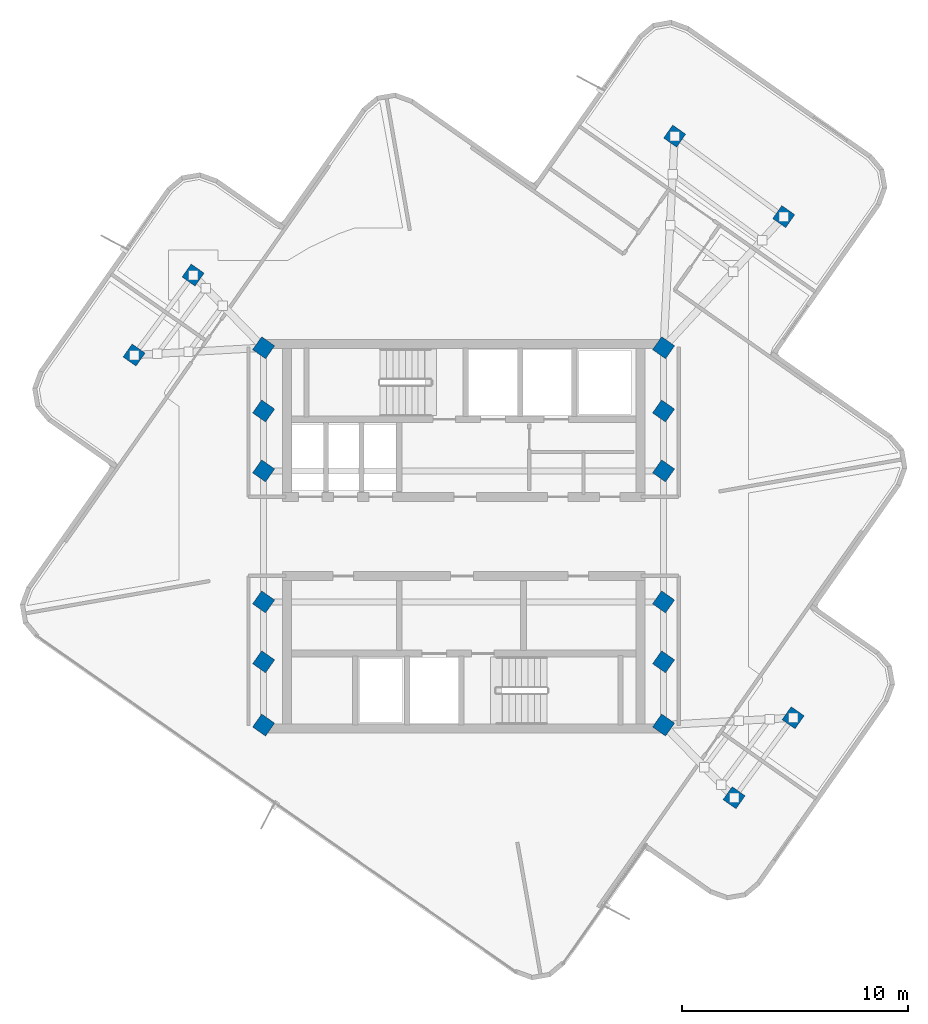
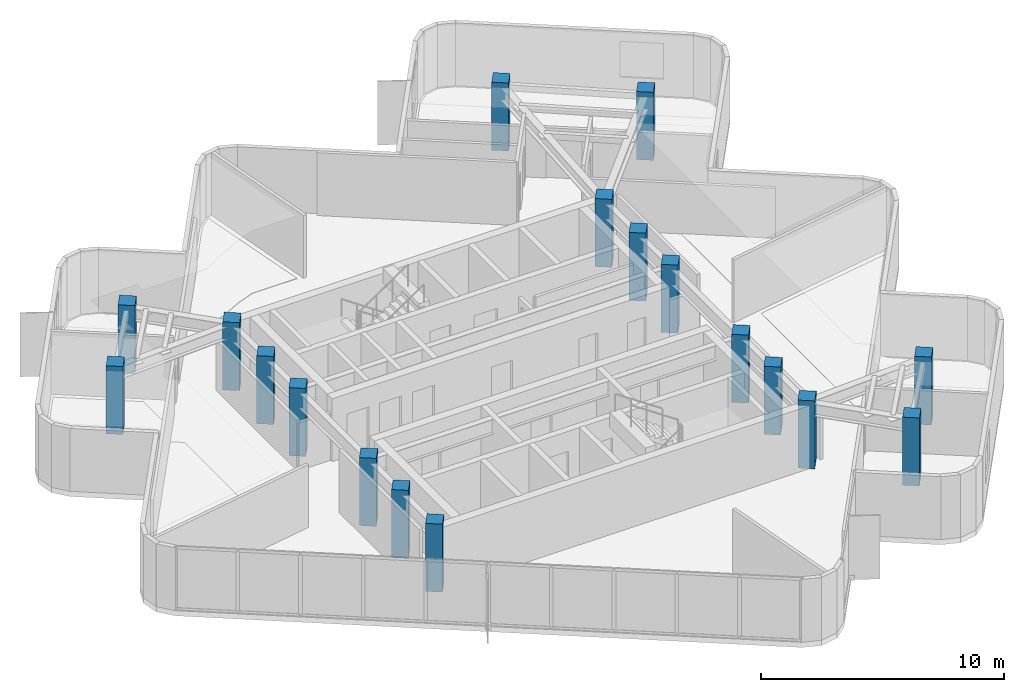
# One storey, part 1 of 8: 18 columns.
"""IFC4 building model written with IfcOpenShell, lengths in metres."""

from ifc_helpers import new_model, si_unit, direction, frame, origin, origin_2d, place, context, subcontext, project, spatial, rectangle, extrude, material, material_profile, profile_set, type_object, element, save


model = new_model("IFC4")

# Units and contexts
model_context = context("Model", 3, precision=1e-05, world=origin(), true_north=direction((0.0, 1.0)))
body_context = subcontext(model_context, "Body", "Model", "MODEL_VIEW")
ifc_project = project(units=[si_unit("LENGTHUNIT", "METRE"), si_unit("AREAUNIT", "SQUARE_METRE"), si_unit("VOLUMEUNIT", "CUBIC_METRE"), si_unit("PLANEANGLEUNIT", "RADIAN"), si_unit("MASSUNIT", "GRAM", prefix="KILO")], contexts=[model_context])

# Site, building, storey
site_placement = place(None, origin())
site = spatial("IfcSite", under=ifc_project, at=site_placement, CompositionType="ELEMENT")
building_placement = place(site_placement, origin())
building = spatial("IfcBuilding", under=site, at=building_placement, Name="Solmarez Civic Tower", CompositionType="ELEMENT")
storey_placement = place(building_placement, frame((0.0, 0.0, 264.60009765625)))
storey = spatial("IfcBuildingStorey", under=building, at=storey_placement, Name="L71", CompositionType="ELEMENT", Elevation=264.60009765625)

# Columns
ifc_material = material(Name="Concrete C50/60", Category="concrete")
ifc_material_profile = material_profile(ifc_material, rectangle(XDim=0.699951171875, YDim=0.699951171875, at=origin_2d()), Name="RC700X700")
ifc_profile_set = profile_set([ifc_material_profile], Name="Concrete C50/60")
column_type = type_object("IfcColumnType", Name="COL-RC700", PredefinedType="COLUMN", material=ifc_profile_set)
for number, where, z_axis, x_axis, name in (
    (1, (-8.85009765625, -5.550048828125, 0.0), (0.0, 0.0, 1.0), (0.574148172537, 0.818751412806, 0.0), "L71 Structural Column HC1"),
    (2, (-8.85009765625, -2.89990234375, 0.0), (0.0, 0.0, 1.0), (0.574148172537, 0.818751412806, 0.0), "L71 Structural Column HC2"),
    (3, (-8.85009765625, 2.89990234375, 0.0), (0.0, 0.0, 1.0), (0.574148172537, 0.818751412806, 0.0), "L71 Structural Column HC3"),
    (4, (-8.85009765625, 5.550048828125, 0.0), (0.0, 0.0, 1.0), (0.574148172537, 0.818751412806, 0.0), "L71 Structural Column HC4"),
    (5, (8.85009765625, -5.550048828125, 0.0), (0.0, 0.0, 1.0), (0.574148172537, 0.818751412806, 0.0), "L71 Structural Column HC5"),
    (6, (8.85009765625, -2.89990234375, 0.0), (0.0, 0.0, 1.0), (0.574148172537, 0.818751412806, 0.0), "L71 Structural Column HC6"),
    (7, (8.85009765625, 2.89990234375, 0.0), (0.0, 0.0, 1.0), (0.574148172537, 0.818751412806, 0.0), "L71 Structural Column HC7"),
    (8, (8.85009765625, 5.550048828125, 0.0), (0.0, 0.0, 1.0), (0.574148172537, 0.818751412806, 0.0), "L71 Structural Column HC8"),
    (9, (-8.85009765625, 8.35009765625, 0.0), (0.0, 0.0, 1.0), (0.574148172537, 0.818751412806, 0.0), "L71 Structural Column HC9"),
    (10, (8.85009765625, -8.35009765625, 0.0), (0.0, 0.0, 1.0), (0.574148172537, 0.818751412806, 0.0), "L71 Structural Column HC10"),
    (11, (8.85009765625, 8.35009765625, 0.0), (0.0, 0.0, 1.0), (0.574148172537, 0.818751412806, 0.0), "L71 Structural Column HC11"),
    (12, (-8.85009765625, -8.35009765625, 0.0), (0.0, 0.0, 1.0), (0.574148172537, 0.818751412806, 0.0), "L71 Structural Column HC12"),
    (13, (14.1689453125, 14.152099609375, 0.0), (0.0, 0.0, 1.0), (0.574148172537, 0.818751412806, 0.0), "L71 Structural Column EA11"),
    (14, (9.341064453125, 17.714111328125, 0.0), (0.0, 0.0, 1.0), (0.574148172537, 0.818751412806, 0.0), "L71 Structural Column EA12"),
    (15, (-11.970947265625, 11.56591796875, 0.0), (0.0, 0.0, 1.0), (0.574148172537, 0.818751412806, 0.0), "L71 Structural Column NA11"),
    (16, (-14.5830078125, 8.02587890625, 0.0), (0.0, 0.0, 1.0), (0.574148172537, 0.818751412806, 0.0), "L71 Structural Column NA12"),
    (17, (11.970947265625, -11.56591796875, 0.0), (0.0, 0.0, 1.0), (0.574148172537, 0.818751412806, 0.0), "L71 Structural Column SA11"),
    (18, (14.5830078125, -8.02587890625, 0.0), (0.0, 0.0, 1.0), (0.574148172537, 0.818751412806, 0.0), "L71 Structural Column SA12"),
):
    element("IfcColumn", number, at=place(storey_placement, frame(where, z_axis=z_axis, x_axis=x_axis)), inside=storey, type_object=column_type, Name=name, PredefinedType="COLUMN", context=body_context, shape_type="SweptSolid", body=[
        extrude(rectangle(XDim=0.699951171875, YDim=0.699951171875, at=origin_2d()), origin(), (0.0, 0.0, 1.0), 3.419921875),
    ])

save(model, "model.ifc")
